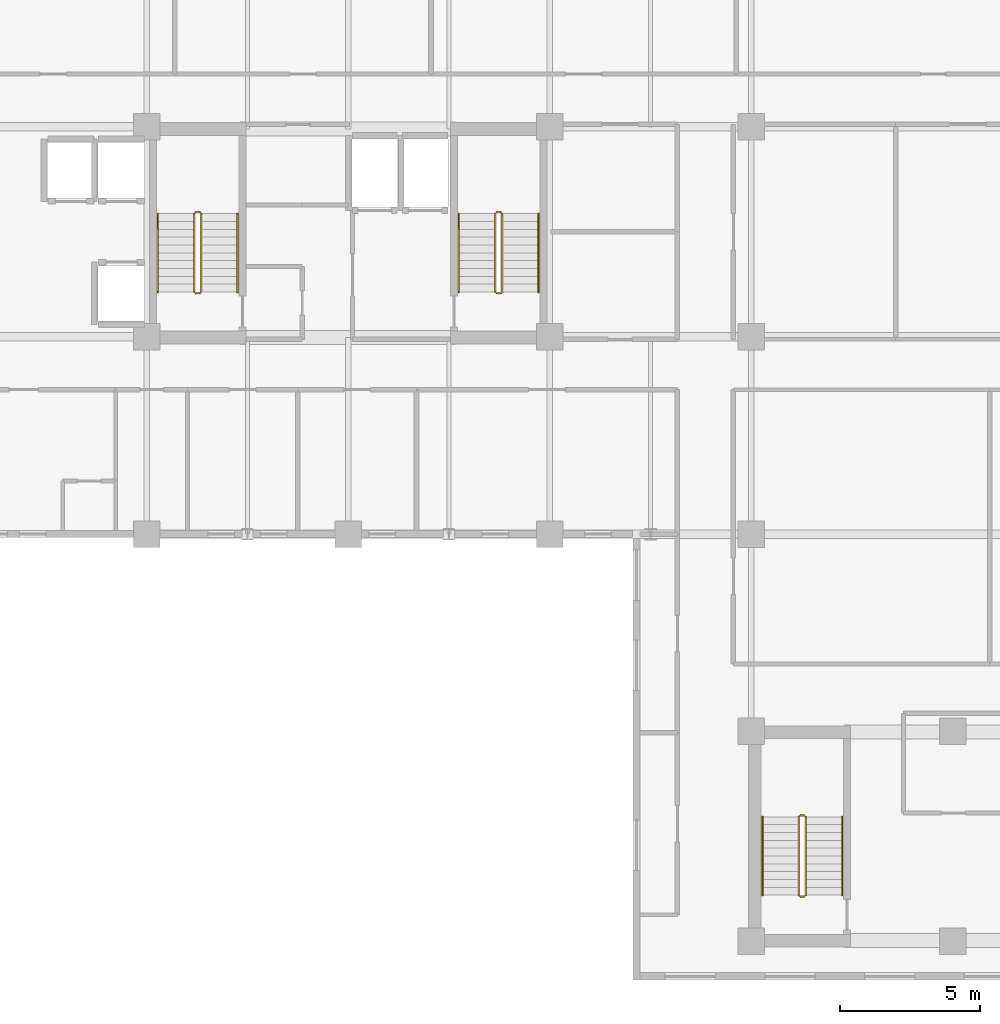
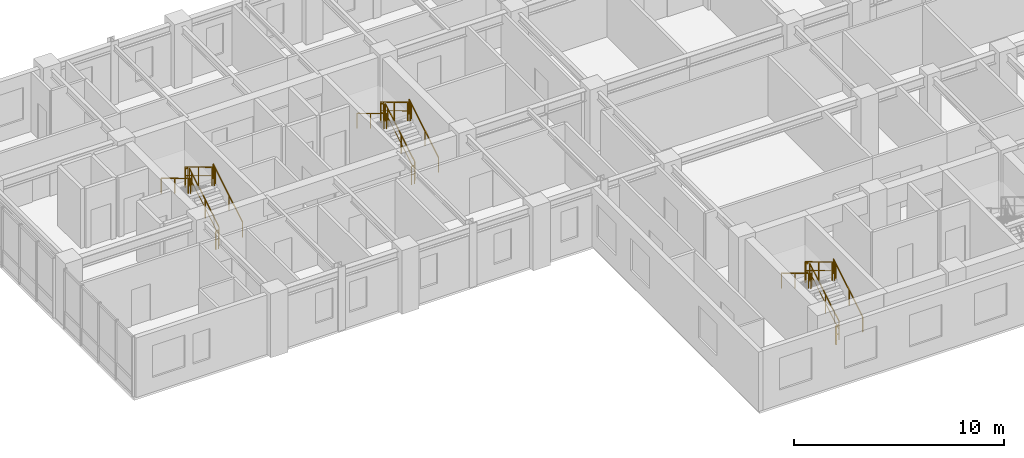
# One storey, part 18 of 20: 18 railings.
"""IFC4 building model written with IfcOpenShell, lengths in metres."""

from ifc_helpers import new_model, si_unit, direction, frame, origin, origin_2d, place, context, subcontext, project, spatial, rectangle, extrude, material, type_object, element, save


model = new_model("IFC4")

# Units and contexts
model_context = context("Model", 3, precision=1e-05, world=origin(), true_north=direction((0.0, 1.0)))
body_context = subcontext(model_context, "Body", "Model", "MODEL_VIEW")
ifc_project = project(units=[si_unit("LENGTHUNIT", "METRE"), si_unit("AREAUNIT", "SQUARE_METRE"), si_unit("VOLUMEUNIT", "CUBIC_METRE"), si_unit("PLANEANGLEUNIT", "RADIAN"), si_unit("MASSUNIT", "GRAM", prefix="KILO")], contexts=[model_context])

# Site, building, storey
site_placement = place(None, origin())
site = spatial("IfcSite", under=ifc_project, at=site_placement, CompositionType="ELEMENT")
building_placement = place(site_placement, origin())
building = spatial("IfcBuilding", under=site, at=building_placement, Name="Kaliganga Portal Commons", CompositionType="ELEMENT")
storey_placement = place(building_placement, frame((0.0, 0.0, 201.800048828125)))
storey = spatial("IfcBuildingStorey", under=building, at=storey_placement, Name="L51", CompositionType="ELEMENT", Elevation=201.800048828125)

# Railings
ifc_material_1 = material(Name="Galvanized Painted Steel Balustrade", Category="steel")
railing_type_1 = type_object("IfcRailingType", Name="RLG-STAIR-GRD", PredefinedType="GUARDRAIL", material=ifc_material_1)
railing_1_placement = place(storey_placement, frame((16.35009765625, 30.25, 0.168212890625)))
element("IfcRailing", 1, at=railing_1_placement, inside=storey, type_object=railing_type_1, Name="L51 ST-A1 stair guard 1", PredefinedType="GUARDRAIL", context=body_context, shape_type="SweptSolid", body=[
    extrude(rectangle(XDim=0.048095703125, YDim=0.048095703125, at=origin_2d()), frame((0.0, 0.0, 1.072021484375), z_axis=(0.0, 0.857275202839, 0.514858452973), x_axis=(-1.0, 0.0, 0.0)), (0.0, 0.0, 1.0), 3.26611328125),
    extrude(rectangle(XDim=0.028076171875, YDim=0.028076171875, at=origin_2d()), frame((0.0, 0.0, 0.572021484375), z_axis=(0.0, 0.857275202839, 0.514858452973), x_axis=(-1.0, 0.0, 0.0)), (0.0, 0.0, 1.0), 3.26611328125),
    extrude(rectangle(XDim=0.0419921875, YDim=0.0419921875, at=origin_2d()), origin(), (0.0, 0.0, 1.0), 1.052001953125),
    extrude(rectangle(XDim=0.0419921875, YDim=0.0419921875, at=origin_2d()), frame((0.0, 1.285888671875, 0.772216796875)), (0.0, 0.0, 1.0), 1.052001953125),
    extrude(rectangle(XDim=0.0419921875, YDim=0.0419921875, at=origin_2d()), frame((0.0, 2.57177734375, 1.544677734375)), (0.0, 0.0, 1.0), 1.052001953125),
    extrude(rectangle(XDim=0.0419921875, YDim=0.0419921875, at=origin_2d()), frame((0.0, 2.800048828125, 1.681640625)), (0.0, 0.0, 1.0), 1.052001953125),
])
railing_2_placement = place(storey_placement, frame((16.300048828125, 33.10009765625, 1.849853515625)))
element("IfcRailing", 2, at=railing_2_placement, inside=storey, type_object=railing_type_1, Name="L51 ST-A1 stair guard 2", PredefinedType="GUARDRAIL", context=body_context, shape_type="SweptSolid", body=[
    extrude(rectangle(XDim=0.048095703125, YDim=0.048095703125, at=origin_2d()), frame((0.0, 0.0, 1.076171875), z_axis=(-1.0, 0.0, 0.0), x_axis=(0.0, -1.0, 0.0)), (0.0, 0.0, 1.0), 0.150146484375),
    extrude(rectangle(XDim=0.028076171875, YDim=0.028076171875, at=origin_2d()), frame((0.0, 0.0, 0.572021484375), z_axis=(-1.0, 0.0, 0.0), x_axis=(0.0, -1.0, 0.0)), (0.0, 0.0, 1.0), 0.150146484375),
    extrude(rectangle(XDim=0.0419921875, YDim=0.0419921875, at=origin_2d()), origin(), (0.0, 0.0, 1.0), 1.052001953125),
    extrude(rectangle(XDim=0.0419921875, YDim=0.0419921875, at=origin_2d()), frame((-0.150146484375, 0.0, 0.0)), (0.0, 0.0, 1.0), 1.052001953125),
])
railing_3_placement = place(storey_placement, frame((16.10009765625, 33.050048828125, 2.01806640625)))
element("IfcRailing", 3, at=railing_3_placement, inside=storey, type_object=railing_type_1, Name="L51 ST-A1 stair guard 3", PredefinedType="GUARDRAIL", context=body_context, shape_type="SweptSolid", body=[
    extrude(rectangle(XDim=0.048095703125, YDim=0.048095703125, at=origin_2d()), frame((0.0, 0.0, 1.072021484375), z_axis=(0.0, -0.857242210791, 0.514913383045), x_axis=(1.0, 0.0, 0.0)), (0.0, 0.0, 1.0), 3.266357421875),
    extrude(rectangle(XDim=0.028076171875, YDim=0.028076171875, at=origin_2d()), frame((0.0, 0.0, 0.572021484375), z_axis=(0.0, -0.857242210791, 0.514913383045), x_axis=(1.0, 0.0, 0.0)), (0.0, 0.0, 1.0), 3.266357421875),
    extrude(rectangle(XDim=0.0419921875, YDim=0.0419921875, at=origin_2d()), origin(), (0.0, 0.0, 1.0), 1.052001953125),
    extrude(rectangle(XDim=0.0419921875, YDim=0.0419921875, at=origin_2d()), frame((0.0, -1.285888671875, 0.7724609375)), (0.0, 0.0, 1.0), 1.052001953125),
    extrude(rectangle(XDim=0.0419921875, YDim=0.0419921875, at=origin_2d()), frame((0.0, -2.57177734375, 1.544677734375)), (0.0, 0.0, 1.0), 1.052001953125),
    extrude(rectangle(XDim=0.0419921875, YDim=0.0419921875, at=origin_2d()), frame((0.0, -2.800048828125, 1.681884765625)), (0.0, 0.0, 1.0), 1.052001953125),
])
railing_4_placement = place(storey_placement, frame((16.300048828125, 30.199951171875, 0.0)))
element("IfcRailing", 4, at=railing_4_placement, inside=storey, type_object=railing_type_1, Name="L51 ST-A1 stair guard 4", PredefinedType="GUARDRAIL", context=body_context, shape_type="SweptSolid", body=[
    extrude(rectangle(XDim=0.048095703125, YDim=0.048095703125, at=origin_2d()), frame((0.0, 0.0, 1.076171875), z_axis=(-1.0, 0.0, 0.0), x_axis=(0.0, -1.0, 0.0)), (0.0, 0.0, 1.0), 0.150146484375),
    extrude(rectangle(XDim=0.028076171875, YDim=0.028076171875, at=origin_2d()), frame((0.0, 0.0, 0.572021484375), z_axis=(-1.0, 0.0, 0.0), x_axis=(0.0, -1.0, 0.0)), (0.0, 0.0, 1.0), 0.150146484375),
    extrude(rectangle(XDim=0.0419921875, YDim=0.0419921875, at=origin_2d()), origin(), (0.0, 0.0, 1.0), 1.052001953125),
    extrude(rectangle(XDim=0.0419921875, YDim=0.0419921875, at=origin_2d()), frame((-0.150146484375, 0.0, 0.0)), (0.0, 0.0, 1.0), 1.052001953125),
])
railing_5_placement = place(storey_placement, frame((27.10009765625, 30.25, 0.168212890625)))
element("IfcRailing", 5, at=railing_5_placement, inside=storey, type_object=railing_type_1, Name="L51 ST-A2 stair guard 1", PredefinedType="GUARDRAIL", context=body_context, shape_type="SweptSolid", body=[
    extrude(rectangle(XDim=0.048095703125, YDim=0.048095703125, at=origin_2d()), frame((0.0, 0.0, 1.072021484375), z_axis=(0.0, 0.857275202839, 0.514858452973), x_axis=(-1.0, 0.0, 0.0)), (0.0, 0.0, 1.0), 3.26611328125),
    extrude(rectangle(XDim=0.028076171875, YDim=0.028076171875, at=origin_2d()), frame((0.0, 0.0, 0.572021484375), z_axis=(0.0, 0.857275202839, 0.514858452973), x_axis=(-1.0, 0.0, 0.0)), (0.0, 0.0, 1.0), 3.26611328125),
    extrude(rectangle(XDim=0.0419921875, YDim=0.0419921875, at=origin_2d()), origin(), (0.0, 0.0, 1.0), 1.052001953125),
    extrude(rectangle(XDim=0.0419921875, YDim=0.0419921875, at=origin_2d()), frame((0.0, 1.285888671875, 0.772216796875)), (0.0, 0.0, 1.0), 1.052001953125),
    extrude(rectangle(XDim=0.0419921875, YDim=0.0419921875, at=origin_2d()), frame((0.0, 2.57177734375, 1.544677734375)), (0.0, 0.0, 1.0), 1.052001953125),
    extrude(rectangle(XDim=0.0419921875, YDim=0.0419921875, at=origin_2d()), frame((0.0, 2.800048828125, 1.681640625)), (0.0, 0.0, 1.0), 1.052001953125),
])
railing_6_placement = place(storey_placement, frame((27.050048828125, 33.10009765625, 1.849853515625)))
element("IfcRailing", 6, at=railing_6_placement, inside=storey, type_object=railing_type_1, Name="L51 ST-A2 stair guard 2", PredefinedType="GUARDRAIL", context=body_context, shape_type="SweptSolid", body=[
    extrude(rectangle(XDim=0.048095703125, YDim=0.048095703125, at=origin_2d()), frame((0.0, 0.0, 1.076171875), z_axis=(-1.0, 0.0, 0.0), x_axis=(0.0, -1.0, 0.0)), (0.0, 0.0, 1.0), 0.150146484375),
    extrude(rectangle(XDim=0.028076171875, YDim=0.028076171875, at=origin_2d()), frame((0.0, 0.0, 0.572021484375), z_axis=(-1.0, 0.0, 0.0), x_axis=(0.0, -1.0, 0.0)), (0.0, 0.0, 1.0), 0.150146484375),
    extrude(rectangle(XDim=0.0419921875, YDim=0.0419921875, at=origin_2d()), origin(), (0.0, 0.0, 1.0), 1.052001953125),
    extrude(rectangle(XDim=0.0419921875, YDim=0.0419921875, at=origin_2d()), frame((-0.150146484375, 0.0, 0.0)), (0.0, 0.0, 1.0), 1.052001953125),
])
railing_7_placement = place(storey_placement, frame((26.85009765625, 33.050048828125, 2.01806640625)))
element("IfcRailing", 7, at=railing_7_placement, inside=storey, type_object=railing_type_1, Name="L51 ST-A2 stair guard 3", PredefinedType="GUARDRAIL", context=body_context, shape_type="SweptSolid", body=[
    extrude(rectangle(XDim=0.048095703125, YDim=0.048095703125, at=origin_2d()), frame((0.0, 0.0, 1.072021484375), z_axis=(0.0, -0.857242210791, 0.514913383045), x_axis=(1.0, 0.0, 0.0)), (0.0, 0.0, 1.0), 3.266357421875),
    extrude(rectangle(XDim=0.028076171875, YDim=0.028076171875, at=origin_2d()), frame((0.0, 0.0, 0.572021484375), z_axis=(0.0, -0.857242210791, 0.514913383045), x_axis=(1.0, 0.0, 0.0)), (0.0, 0.0, 1.0), 3.266357421875),
    extrude(rectangle(XDim=0.0419921875, YDim=0.0419921875, at=origin_2d()), origin(), (0.0, 0.0, 1.0), 1.052001953125),
    extrude(rectangle(XDim=0.0419921875, YDim=0.0419921875, at=origin_2d()), frame((0.0, -1.285888671875, 0.7724609375)), (0.0, 0.0, 1.0), 1.052001953125),
    extrude(rectangle(XDim=0.0419921875, YDim=0.0419921875, at=origin_2d()), frame((0.0, -2.57177734375, 1.544677734375)), (0.0, 0.0, 1.0), 1.052001953125),
    extrude(rectangle(XDim=0.0419921875, YDim=0.0419921875, at=origin_2d()), frame((0.0, -2.800048828125, 1.681884765625)), (0.0, 0.0, 1.0), 1.052001953125),
])
railing_8_placement = place(storey_placement, frame((27.050048828125, 30.199951171875, 0.0)))
element("IfcRailing", 8, at=railing_8_placement, inside=storey, type_object=railing_type_1, Name="L51 ST-A2 stair guard 4", PredefinedType="GUARDRAIL", context=body_context, shape_type="SweptSolid", body=[
    extrude(rectangle(XDim=0.048095703125, YDim=0.048095703125, at=origin_2d()), frame((0.0, 0.0, 1.076171875), z_axis=(-1.0, 0.0, 0.0), x_axis=(0.0, -1.0, 0.0)), (0.0, 0.0, 1.0), 0.150146484375),
    extrude(rectangle(XDim=0.028076171875, YDim=0.028076171875, at=origin_2d()), frame((0.0, 0.0, 0.572021484375), z_axis=(-1.0, 0.0, 0.0), x_axis=(0.0, -1.0, 0.0)), (0.0, 0.0, 1.0), 0.150146484375),
    extrude(rectangle(XDim=0.0419921875, YDim=0.0419921875, at=origin_2d()), origin(), (0.0, 0.0, 1.0), 1.052001953125),
    extrude(rectangle(XDim=0.0419921875, YDim=0.0419921875, at=origin_2d()), frame((-0.150146484375, 0.0, 0.0)), (0.0, 0.0, 1.0), 1.052001953125),
])
railing_9_placement = place(storey_placement, frame((37.949951171875, 8.699951171875, 0.168212890625)))
element("IfcRailing", 9, at=railing_9_placement, inside=storey, type_object=railing_type_1, Name="L51 ST-B1 stair guard 1", PredefinedType="GUARDRAIL", context=body_context, shape_type="SweptSolid", body=[
    extrude(rectangle(XDim=0.048095703125, YDim=0.048095703125, at=origin_2d()), frame((0.0, 0.0, 1.072021484375), z_axis=(0.0, 0.857275202839, 0.514858452973), x_axis=(-1.0, 0.0, 0.0)), (0.0, 0.0, 1.0), 3.26611328125),
    extrude(rectangle(XDim=0.028076171875, YDim=0.028076171875, at=origin_2d()), frame((0.0, 0.0, 0.572021484375), z_axis=(0.0, 0.857275202839, 0.514858452973), x_axis=(-1.0, 0.0, 0.0)), (0.0, 0.0, 1.0), 3.26611328125),
    extrude(rectangle(XDim=0.0419921875, YDim=0.0419921875, at=origin_2d()), origin(), (0.0, 0.0, 1.0), 1.052001953125),
    extrude(rectangle(XDim=0.0419921875, YDim=0.0419921875, at=origin_2d()), frame((0.0, 1.285888671875, 0.772216796875)), (0.0, 0.0, 1.0), 1.052001953125),
    extrude(rectangle(XDim=0.0419921875, YDim=0.0419921875, at=origin_2d()), frame((0.0, 2.57177734375, 1.544677734375)), (0.0, 0.0, 1.0), 1.052001953125),
    extrude(rectangle(XDim=0.0419921875, YDim=0.0419921875, at=origin_2d()), frame((0.0, 2.800048828125, 1.681640625)), (0.0, 0.0, 1.0), 1.052001953125),
])
railing_10_placement = place(storey_placement, frame((37.89990234375, 11.550048828125, 1.849853515625)))
element("IfcRailing", 10, at=railing_10_placement, inside=storey, type_object=railing_type_1, Name="L51 ST-B1 stair guard 2", PredefinedType="GUARDRAIL", context=body_context, shape_type="SweptSolid", body=[
    extrude(rectangle(XDim=0.048095703125, YDim=0.048095703125, at=origin_2d()), frame((0.0, 0.0, 1.076171875), z_axis=(-1.0, 0.0, 0.0), x_axis=(0.0, -1.0, 0.0)), (0.0, 0.0, 1.0), 0.14990234375),
    extrude(rectangle(XDim=0.028076171875, YDim=0.028076171875, at=origin_2d()), frame((0.0, 0.0, 0.572021484375), z_axis=(-1.0, 0.0, 0.0), x_axis=(0.0, -1.0, 0.0)), (0.0, 0.0, 1.0), 0.14990234375),
    extrude(rectangle(XDim=0.0419921875, YDim=0.0419921875, at=origin_2d()), frame((-0.14990234375, 0.0, 0.0)), (0.0, 0.0, 1.0), 1.052001953125),
])
railing_11_placement = place(storey_placement, frame((37.699951171875, 11.5, 2.01806640625)))
element("IfcRailing", 11, at=railing_11_placement, inside=storey, type_object=railing_type_1, Name="L51 ST-B1 stair guard 3", PredefinedType="GUARDRAIL", context=body_context, shape_type="SweptSolid", body=[
    extrude(rectangle(XDim=0.048095703125, YDim=0.048095703125, at=origin_2d()), frame((0.0, 0.0, 1.072021484375), z_axis=(0.0, -0.857242210791, 0.514913383045), x_axis=(1.0, 0.0, 0.0)), (0.0, 0.0, 1.0), 3.266357421875),
    extrude(rectangle(XDim=0.028076171875, YDim=0.028076171875, at=origin_2d()), frame((0.0, 0.0, 0.572021484375), z_axis=(0.0, -0.857242210791, 0.514913383045), x_axis=(1.0, 0.0, 0.0)), (0.0, 0.0, 1.0), 3.266357421875),
    extrude(rectangle(XDim=0.0419921875, YDim=0.0419921875, at=origin_2d()), origin(), (0.0, 0.0, 1.0), 1.052001953125),
    extrude(rectangle(XDim=0.0419921875, YDim=0.0419921875, at=origin_2d()), frame((0.0, -1.285888671875, 0.7724609375)), (0.0, 0.0, 1.0), 1.052001953125),
    extrude(rectangle(XDim=0.0419921875, YDim=0.0419921875, at=origin_2d()), frame((0.0, -2.57177734375, 1.544677734375)), (0.0, 0.0, 1.0), 1.052001953125),
    extrude(rectangle(XDim=0.0419921875, YDim=0.0419921875, at=origin_2d()), frame((0.0, -2.800048828125, 1.681884765625)), (0.0, 0.0, 1.0), 1.052001953125),
])
railing_12_placement = place(storey_placement, frame((37.89990234375, 8.64990234375, 0.0)))
element("IfcRailing", 12, at=railing_12_placement, inside=storey, type_object=railing_type_1, Name="L51 ST-B1 stair guard 4", PredefinedType="GUARDRAIL", context=body_context, shape_type="SweptSolid", body=[
    extrude(rectangle(XDim=0.048095703125, YDim=0.048095703125, at=origin_2d()), frame((0.0, 0.0, 1.076171875), z_axis=(-1.0, 0.0, 0.0), x_axis=(0.0, -1.0, 0.0)), (0.0, 0.0, 1.0), 0.14990234375),
    extrude(rectangle(XDim=0.028076171875, YDim=0.028076171875, at=origin_2d()), frame((0.0, 0.0, 0.572021484375), z_axis=(-1.0, 0.0, 0.0), x_axis=(0.0, -1.0, 0.0)), (0.0, 0.0, 1.0), 0.14990234375),
    extrude(rectangle(XDim=0.0419921875, YDim=0.0419921875, at=origin_2d()), frame((-0.14990234375, 0.0, 0.0)), (0.0, 0.0, 1.0), 1.052001953125),
])
ifc_material_2 = material(Name="Brushed Stainless Steel 316", Category="steel")
railing_type_2 = type_object("IfcRailingType", Name="RLG-STAIR-HR", PredefinedType="HANDRAIL", material=ifc_material_2)
railing_13_placement = place(storey_placement, frame((17.64990234375, 30.25, 0.168212890625)))
element("IfcRailing", 13, at=railing_13_placement, inside=storey, type_object=railing_type_2, Name="L51 ST-A1 stair handrail 1", PredefinedType="HANDRAIL", context=body_context, shape_type="SweptSolid", body=[
    extrude(rectangle(XDim=0.048095703125, YDim=0.048095703125, at=origin_2d()), frame((0.0, 0.0, 0.871826171875), z_axis=(0.0, 0.857275202839, 0.514858452973), x_axis=(-1.0, 0.0, 0.0)), (0.0, 0.0, 1.0), 3.26611328125),
    extrude(rectangle(XDim=0.0419921875, YDim=0.0419921875, at=origin_2d()), origin(), (0.0, 0.0, 1.0), 0.851806640625),
    extrude(rectangle(XDim=0.0419921875, YDim=0.0419921875, at=origin_2d()), frame((0.0, 1.285888671875, 0.772216796875)), (0.0, 0.0, 1.0), 0.851806640625),
    extrude(rectangle(XDim=0.0419921875, YDim=0.0419921875, at=origin_2d()), frame((0.0, 2.57177734375, 1.544677734375)), (0.0, 0.0, 1.0), 0.851806640625),
    extrude(rectangle(XDim=0.0419921875, YDim=0.0419921875, at=origin_2d()), frame((0.0, 2.800048828125, 1.681640625)), (0.0, 0.0, 1.0), 0.851806640625),
])
railing_14_placement = place(storey_placement, frame((14.800048828125, 33.050048828125, 2.01806640625)))
element("IfcRailing", 14, at=railing_14_placement, inside=storey, type_object=railing_type_2, Name="L51 ST-A1 stair handrail 2", PredefinedType="HANDRAIL", context=body_context, shape_type="SweptSolid", body=[
    extrude(rectangle(XDim=0.048095703125, YDim=0.048095703125, at=origin_2d()), frame((0.0, 0.0, 0.871826171875), z_axis=(0.0, -0.857242210791, 0.514913383045), x_axis=(1.0, 0.0, 0.0)), (0.0, 0.0, 1.0), 3.266357421875),
    extrude(rectangle(XDim=0.0419921875, YDim=0.0419921875, at=origin_2d()), origin(), (0.0, 0.0, 1.0), 0.851806640625),
    extrude(rectangle(XDim=0.0419921875, YDim=0.0419921875, at=origin_2d()), frame((0.0, -1.285888671875, 0.7724609375)), (0.0, 0.0, 1.0), 0.851806640625),
    extrude(rectangle(XDim=0.0419921875, YDim=0.0419921875, at=origin_2d()), frame((0.0, -2.57177734375, 1.544677734375)), (0.0, 0.0, 1.0), 0.851806640625),
    extrude(rectangle(XDim=0.0419921875, YDim=0.0419921875, at=origin_2d()), frame((0.0, -2.800048828125, 1.681884765625)), (0.0, 0.0, 1.0), 0.851806640625),
])
railing_15_placement = place(storey_placement, frame((28.39990234375, 30.25, 0.168212890625)))
element("IfcRailing", 15, at=railing_15_placement, inside=storey, type_object=railing_type_2, Name="L51 ST-A2 stair handrail 1", PredefinedType="HANDRAIL", context=body_context, shape_type="SweptSolid", body=[
    extrude(rectangle(XDim=0.048095703125, YDim=0.048095703125, at=origin_2d()), frame((0.0, 0.0, 0.871826171875), z_axis=(0.0, 0.857275202839, 0.514858452973), x_axis=(-1.0, 0.0, 0.0)), (0.0, 0.0, 1.0), 3.26611328125),
    extrude(rectangle(XDim=0.0419921875, YDim=0.0419921875, at=origin_2d()), origin(), (0.0, 0.0, 1.0), 0.851806640625),
    extrude(rectangle(XDim=0.0419921875, YDim=0.0419921875, at=origin_2d()), frame((0.0, 1.285888671875, 0.772216796875)), (0.0, 0.0, 1.0), 0.851806640625),
    extrude(rectangle(XDim=0.0419921875, YDim=0.0419921875, at=origin_2d()), frame((0.0, 2.57177734375, 1.544677734375)), (0.0, 0.0, 1.0), 0.851806640625),
    extrude(rectangle(XDim=0.0419921875, YDim=0.0419921875, at=origin_2d()), frame((0.0, 2.800048828125, 1.681640625)), (0.0, 0.0, 1.0), 0.851806640625),
])
railing_16_placement = place(storey_placement, frame((25.550048828125, 33.050048828125, 2.01806640625)))
element("IfcRailing", 16, at=railing_16_placement, inside=storey, type_object=railing_type_2, Name="L51 ST-A2 stair handrail 2", PredefinedType="HANDRAIL", context=body_context, shape_type="SweptSolid", body=[
    extrude(rectangle(XDim=0.048095703125, YDim=0.048095703125, at=origin_2d()), frame((0.0, 0.0, 0.871826171875), z_axis=(0.0, -0.857242210791, 0.514913383045), x_axis=(1.0, 0.0, 0.0)), (0.0, 0.0, 1.0), 3.266357421875),
    extrude(rectangle(XDim=0.0419921875, YDim=0.0419921875, at=origin_2d()), origin(), (0.0, 0.0, 1.0), 0.851806640625),
    extrude(rectangle(XDim=0.0419921875, YDim=0.0419921875, at=origin_2d()), frame((0.0, -1.285888671875, 0.7724609375)), (0.0, 0.0, 1.0), 0.851806640625),
    extrude(rectangle(XDim=0.0419921875, YDim=0.0419921875, at=origin_2d()), frame((0.0, -2.57177734375, 1.544677734375)), (0.0, 0.0, 1.0), 0.851806640625),
    extrude(rectangle(XDim=0.0419921875, YDim=0.0419921875, at=origin_2d()), frame((0.0, -2.800048828125, 1.681884765625)), (0.0, 0.0, 1.0), 0.851806640625),
])
railing_17_placement = place(storey_placement, frame((39.25, 8.699951171875, 0.168212890625)))
element("IfcRailing", 17, at=railing_17_placement, inside=storey, type_object=railing_type_2, Name="L51 ST-B1 stair handrail 1", PredefinedType="HANDRAIL", context=body_context, shape_type="SweptSolid", body=[
    extrude(rectangle(XDim=0.048095703125, YDim=0.048095703125, at=origin_2d()), frame((0.0, 0.0, 0.871826171875), z_axis=(0.0, 0.857275202839, 0.514858452973), x_axis=(-1.0, 0.0, 0.0)), (0.0, 0.0, 1.0), 3.26611328125),
    extrude(rectangle(XDim=0.0419921875, YDim=0.0419921875, at=origin_2d()), origin(), (0.0, 0.0, 1.0), 0.851806640625),
    extrude(rectangle(XDim=0.0419921875, YDim=0.0419921875, at=origin_2d()), frame((0.0, 1.285888671875, 0.772216796875)), (0.0, 0.0, 1.0), 0.851806640625),
    extrude(rectangle(XDim=0.0419921875, YDim=0.0419921875, at=origin_2d()), frame((0.0, 2.57177734375, 1.544677734375)), (0.0, 0.0, 1.0), 0.851806640625),
    extrude(rectangle(XDim=0.0419921875, YDim=0.0419921875, at=origin_2d()), frame((0.0, 2.800048828125, 1.681640625)), (0.0, 0.0, 1.0), 0.851806640625),
])
railing_18_placement = place(storey_placement, frame((36.39990234375, 11.5, 2.01806640625)))
element("IfcRailing", 18, at=railing_18_placement, inside=storey, type_object=railing_type_2, Name="L51 ST-B1 stair handrail 2", PredefinedType="HANDRAIL", context=body_context, shape_type="SweptSolid", body=[
    extrude(rectangle(XDim=0.048095703125, YDim=0.048095703125, at=origin_2d()), frame((0.0, 0.0, 0.871826171875), z_axis=(0.0, -0.857242210791, 0.514913383045), x_axis=(1.0, 0.0, 0.0)), (0.0, 0.0, 1.0), 3.266357421875),
    extrude(rectangle(XDim=0.0419921875, YDim=0.0419921875, at=origin_2d()), origin(), (0.0, 0.0, 1.0), 0.851806640625),
    extrude(rectangle(XDim=0.0419921875, YDim=0.0419921875, at=origin_2d()), frame((0.0, -1.285888671875, 0.7724609375)), (0.0, 0.0, 1.0), 0.851806640625),
    extrude(rectangle(XDim=0.0419921875, YDim=0.0419921875, at=origin_2d()), frame((0.0, -2.57177734375, 1.544677734375)), (0.0, 0.0, 1.0), 0.851806640625),
    extrude(rectangle(XDim=0.0419921875, YDim=0.0419921875, at=origin_2d()), frame((0.0, -2.800048828125, 1.681884765625)), (0.0, 0.0, 1.0), 0.851806640625),
])

save(model, "model.ifc")
